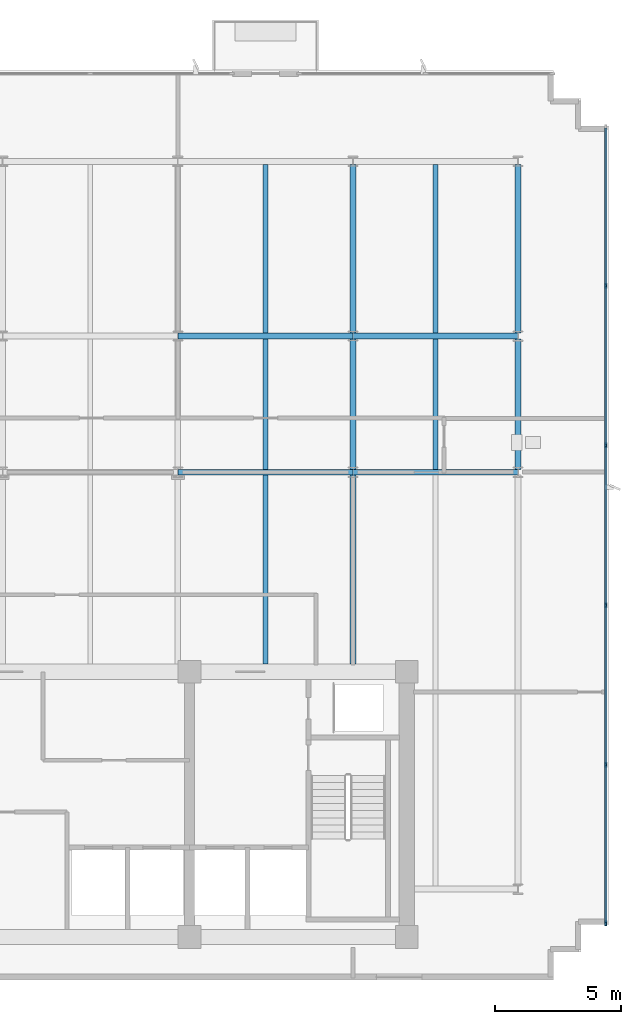
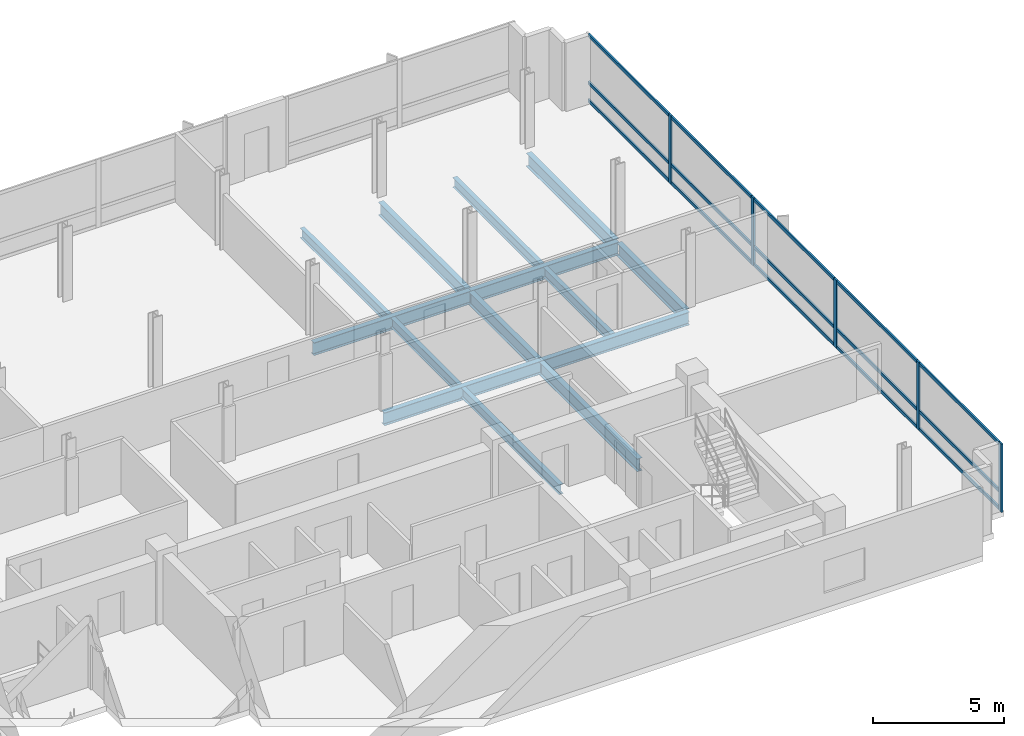
# One storey, part 4 of 13: 20 members, 14 beams, 1 element without a shape of its own.
"""IFC4 building model written with IfcOpenShell, lengths in metres."""

import ifcopenshell
import ifcopenshell.guid

model = None  # the IFC model being written
_history = None  # IfcOwnerHistory: only IFC2X3 demands one
_inside = {}  # id of a spatial element -> (the spatial element, [elements in it])
_under = {}  # id of a project, library or spatial element -> (it, [spatial elements below it])
_declared = {}  # id of a project -> (the project, [libraries it declares])
_typed = {}  # id of a type object -> (the type object, [elements of that type])
_made_of = {}  # id of a material, layer set ... -> (it, [elements and type objects made of it])


def new_model(schema):
    """Start an empty IFC model of exactly this schema.

    Asked for "IFC4X3", IfcOpenShell would pick the latest addendum, in which some entities
    have other attributes; the version numbers below select the first issue.
    IFC2X3 requires an IfcOwnerHistory on every rooted entity: one is made here for all.
    """
    global model, _history
    if schema == "IFC4X3":
        model = ifcopenshell.file(schema_version=(4, 3, 0, 0))
    else:
        model = ifcopenshell.file(schema=schema)
    _inside.clear()
    _under.clear()
    _declared.clear()
    _typed.clear()
    _made_of.clear()
    _history = None
    if model.schema == "IFC2X3":
        org = make("IfcOrganization", Name="unknown")
        user = make(
            "IfcPersonAndOrganization",
            ThePerson=make("IfcPerson", FamilyName="unknown"),
            TheOrganization=org,
        )
        app = make(
            "IfcApplication",
            ApplicationDeveloper=org,
            Version="unknown",
            ApplicationFullName="unknown",
            ApplicationIdentifier="unknown",
        )
        _history = make(
            "IfcOwnerHistory",
            OwningUser=user,
            OwningApplication=app,
            ChangeAction="ADDED",
            CreationDate=0,
        )
    return model


def make(cls, **values):
    """One entity of the class cls with the attributes given. An attribute that is None is left unset."""
    return model.create_entity(
        cls, **{name: value for name, value in values.items() if value is not None}
    )


def rooted(cls, **values):
    """An entity with a GlobalId (a new one), such as an element, a storey or a relation."""
    return make(cls, GlobalId=ifcopenshell.guid.new(), OwnerHistory=_history, **values)


def si_unit(unit_type, name, prefix=None):
    """IfcSIUnit, for example si_unit("LENGTHUNIT", "METRE", prefix="MILLI")."""
    return make("IfcSIUnit", UnitType=unit_type, Prefix=prefix, Name=name)


def assignment(units):
    """IfcUnitAssignment: the units of a project."""
    return None if units is None else make("IfcUnitAssignment", Units=units)


def point(xyz):
    """IfcCartesianPoint."""
    return None if xyz is None else make("IfcCartesianPoint", Coordinates=xyz)


def direction(xyz):
    """IfcDirection."""
    return None if xyz is None else make("IfcDirection", DirectionRatios=xyz)


def frame(location, z_axis=None, x_axis=None):
    """IfcAxis2Placement3D, a coordinate frame: its origin and axes. An axis left out is left unset."""
    return make(
        "IfcAxis2Placement3D",
        Location=point(location),
        Axis=direction(z_axis),
        RefDirection=direction(x_axis),
    )


def frame_2d(location, x_axis=None):
    """IfcAxis2Placement2D, a coordinate frame in the plane: its origin and x axis."""
    return make(
        "IfcAxis2Placement2D", Location=point(location), RefDirection=direction(x_axis)
    )


def origin():
    """The frame at (0, 0, 0) with its axes left unset."""
    return frame((0.0, 0.0, 0.0))


def origin_2d():
    """The frame at (0, 0) in the plane with its x axis left unset."""
    return frame_2d((0.0, 0.0))


def place(relative_to, where):
    """IfcLocalPlacement: puts the frame where relative to a parent placement (None: the world)."""
    return make(
        "IfcLocalPlacement", PlacementRelTo=relative_to, RelativePlacement=where
    )


def context(
    kind, dimensions, precision=None, world=None, true_north=None, identifier=None
):
    """IfcGeometricRepresentationContext, for example the 3D "Model" context."""
    return make(
        "IfcGeometricRepresentationContext",
        ContextIdentifier=identifier,
        ContextType=kind,
        CoordinateSpaceDimension=dimensions,
        Precision=precision,
        WorldCoordinateSystem=world,
        TrueNorth=true_north,
    )


def subcontext(parent, identifier, kind, view, scale=None):
    """IfcGeometricRepresentationSubContext, for example "Body" below "Model"."""
    return make(
        "IfcGeometricRepresentationSubContext",
        ContextIdentifier=identifier,
        ContextType=kind,
        ParentContext=parent,
        TargetScale=scale,
        TargetView=view,
    )


def project(units=None, contexts=None):
    """IfcProject with its units and contexts."""
    return rooted(
        "IfcProject",
        Name="project",
        RepresentationContexts=contexts,
        UnitsInContext=assignment(units),
    )


def spatial(cls, under=None, at=None, **own):
    """A site, building, storey or space (cls), placed at a placement, below another one or the project."""
    s = rooted(cls, ObjectPlacement=at, **own)
    if under is not None:
        _under.setdefault(under.id(), (under, []))[1].append(s)
    return s


def profile(cls, at=None, kind="AREA", **sizes):
    """A parametric profile (cls). Its sizes go by their IFC names, for example OverallWidth=200.0."""
    return make(cls, ProfileType=kind, Position=at, **sizes)


def rectangle(**sizes):
    """IfcRectangleProfileDef."""
    return profile("IfcRectangleProfileDef", **sizes)


def i_section(**sizes):
    """IfcIShapeProfileDef."""
    return profile("IfcIShapeProfileDef", **sizes)


def extrude(swept, where, along, depth):
    """IfcExtrudedAreaSolid: the profile swept, set in the frame where, extruded along a direction by depth."""
    return make(
        "IfcExtrudedAreaSolid",
        SweptArea=swept,
        Position=where,
        ExtrudedDirection=direction(along),
        Depth=depth,
    )


def shape(context_of_items, identifier, shape_type, items):
    """IfcShapeRepresentation: the items that make up one representation, for example the "Body"."""
    return make(
        "IfcShapeRepresentation",
        ContextOfItems=context_of_items,
        RepresentationIdentifier=identifier,
        RepresentationType=shape_type,
        Items=items,
    )


def material(Name=None, Category=None):
    """IfcMaterial."""
    return make("IfcMaterial", Name=Name, Category=Category)


def material_profile(
    of_material, cross_section, Name=None, Category=None, Priority=None
):
    """IfcMaterialProfile: a cross section and its material."""
    return make(
        "IfcMaterialProfile",
        Name=Name,
        Material=of_material,
        Profile=cross_section,
        Priority=Priority,
        Category=Category,
    )


def profile_set(profiles, Name=None, composite=None):
    """IfcMaterialProfileSet."""
    return make(
        "IfcMaterialProfileSet",
        Name=Name,
        MaterialProfiles=profiles,
        CompositeProfile=composite,
    )


def made_of(thing, what):
    """Note that an element or type object is made of a material, layer set ...; save() writes the relation."""
    if what is not None:
        _made_of.setdefault(what.id(), (what, []))[1].append(thing)
    return thing


def type_object(cls, material=None, **own):
    """A type object (cls), such as IfcWallType, which elements share."""
    return made_of(rooted(cls, **own), material)


def element(
    cls,
    number,
    at=None,
    inside=None,
    cuts=None,
    type_object=None,
    material=None,
    context=None,
    identifier="Body",
    shape_type=None,
    held_by="IfcProductDefinitionShape",
    body=None,
    shapes=None,
    **own,
):
    """One element of the class cls, such as IfcWall. Its Tag is "e" and its number.

    at: its placement. inside: the storey or other place that contains it. cuts: it is an
    opening in that element (IfcRelVoidsElement). A single representation is given by context,
    identifier, shape_type and body (its items); several are given by shapes. held_by: the class
    of the entity that holds the representations. save() writes the other relations.
    """
    e = rooted(cls, Tag="e%d" % number, ObjectPlacement=at, **own)
    if body is not None:
        shapes = [shape(context, identifier, shape_type, body)]
    if shapes is not None:
        e.Representation = make(held_by, Representations=shapes)
    if inside is not None:
        _inside.setdefault(inside.id(), (inside, []))[1].append(e)
    if cuts is not None:
        rooted(
            "IfcRelVoidsElement", RelatingBuildingElement=cuts, RelatedOpeningElement=e
        )
    if type_object is not None:
        _typed.setdefault(type_object.id(), (type_object, []))[1].append(e)
    return made_of(e, material)


def aggregate(whole, parts):
    """IfcRelAggregates: a whole, such as a stair, and the parts it consists of."""
    return rooted("IfcRelAggregates", RelatingObject=whole, RelatedObjects=parts)


def save(model, path):
    """Write the relations noted so far, then the file.

    IfcRelAggregates (storeys below a building ...), IfcRelContainedInSpatialStructure (elements
    in a storey), IfcRelDefinesByType, IfcRelAssociatesMaterial and IfcRelDeclares: one each for
    every whole, place, type object, material and project.
    """
    for whole, parts in _under.values():
        aggregate(whole, parts)
    for where, things in _inside.values():
        rooted(
            "IfcRelContainedInSpatialStructure",
            RelatedElements=things,
            RelatingStructure=where,
        )
    for kind, things in _typed.values():
        rooted("IfcRelDefinesByType", RelatedObjects=things, RelatingType=kind)
    for what, things in _made_of.values():
        rooted("IfcRelAssociatesMaterial", RelatedObjects=things, RelatingMaterial=what)
    for by, libraries in _declared.values():
        rooted("IfcRelDeclares", RelatingContext=by, RelatedDefinitions=libraries)
    model.write(path)


model = new_model("IFC4")

# Units and contexts
model_context = context("Model", 3, precision=1e-05, world=origin(), true_north=direction((0.0, 1.0)))
body_context = subcontext(model_context, "Body", "Model", "MODEL_VIEW")
ifc_project = project(units=[si_unit("LENGTHUNIT", "METRE"), si_unit("AREAUNIT", "SQUARE_METRE"), si_unit("VOLUMEUNIT", "CUBIC_METRE"), si_unit("PLANEANGLEUNIT", "RADIAN"), si_unit("MASSUNIT", "GRAM", prefix="KILO")], contexts=[model_context])

# Site, building, storey
site_placement = place(None, origin())
site = spatial("IfcSite", under=ifc_project, at=site_placement, CompositionType="ELEMENT")
building_placement = place(site_placement, origin())
building = spatial("IfcBuilding", under=site, at=building_placement, Name="Solmavex Isthmus Hotel", CompositionType="ELEMENT")
storey_placement = place(building_placement, frame((0.0, 0.0, 279.89990234375)))
storey = spatial("IfcBuildingStorey", under=building, at=storey_placement, Name="L76", CompositionType="ELEMENT", Elevation=279.89990234375)

# Beams
ifc_material_1 = material(Name="Steel ASTM A992 Grade 50", Category="steel")
ifc_material_profile_1 = material_profile(ifc_material_1, i_section(OverallWidth=0.1904296875, OverallDepth=0.456787109375, WebThickness=0.009033203125, FlangeThickness=0.014404296875, FilletRadius=0.0126953125, at=origin_2d()), Name="W18X50")
ifc_profile_set_1 = profile_set([ifc_material_profile_1], Name="Steel ASTM A992 Grade 50")
beam_type_1 = type_object("IfcBeamType", Name="BM-BJ-W18X50", PredefinedType="JOIST", material=ifc_profile_set_1)
beam_1_placement = place(storey_placement, frame((10.404052734375, -2.199951171875, -0.48828125), z_axis=(0.0, 1.0, 0.0), x_axis=(-1.0, 0.0, 0.0)))
element("IfcBeam", 1, at=beam_1_placement, inside=storey, type_object=beam_type_1, Name="Secondary Floor Joist L76-J13", PredefinedType="JOIST", context=body_context, shape_type="SweptSolid", body=[
    extrude(i_section(OverallWidth=0.1904296875, OverallDepth=0.456787109375, WebThickness=0.009033203125, FlangeThickness=0.014404296875, FilletRadius=0.0126953125, at=origin_2d()), origin(), (0.0, 0.0, 1.0), 7.486083984375),
])
beam_2_placement = place(storey_placement, frame((10.404052734375, 5.513916015625, -0.48828125), z_axis=(0.0, 1.0, 0.0), x_axis=(-1.0, 0.0, 0.0)))
element("IfcBeam", 2, at=beam_2_placement, inside=storey, type_object=beam_type_1, Name="Secondary Floor Joist L76-J14", PredefinedType="JOIST", context=body_context, shape_type="SweptSolid", body=[
    extrude(i_section(OverallWidth=0.1904296875, OverallDepth=0.456787109375, WebThickness=0.009033203125, FlangeThickness=0.014404296875, FilletRadius=0.0126953125, at=origin_2d()), origin(), (0.0, 0.0, 1.0), 5.16015625),
])
beam_3_placement = place(storey_placement, frame((10.404052734375, 10.90185546875, -0.48828125), z_axis=(0.0, 1.0, 0.0), x_axis=(-1.0, 0.0, 0.0)))
element("IfcBeam", 3, at=beam_3_placement, inside=storey, type_object=beam_type_1, Name="Secondary Floor Joist L76-J15", PredefinedType="JOIST", context=body_context, shape_type="SweptSolid", body=[
    extrude(i_section(OverallWidth=0.1904296875, OverallDepth=0.456787109375, WebThickness=0.009033203125, FlangeThickness=0.014404296875, FilletRadius=0.0126953125, at=origin_2d()), origin(), (0.0, 0.0, 1.0), 6.682861328125),
])
beam_4_placement = place(storey_placement, frame((17.135986328125, 5.513916015625, -0.48828125), z_axis=(0.0, 1.0, 0.0), x_axis=(-1.0, 0.0, 0.0)))
element("IfcBeam", 4, at=beam_4_placement, inside=storey, type_object=beam_type_1, Name="Secondary Floor Joist L76-J17", PredefinedType="JOIST", context=body_context, shape_type="SweptSolid", body=[
    extrude(i_section(OverallWidth=0.1904296875, OverallDepth=0.456787109375, WebThickness=0.009033203125, FlangeThickness=0.014404296875, FilletRadius=0.0126953125, at=origin_2d()), origin(), (0.0, 0.0, 1.0), 5.16015625),
])
beam_5_placement = place(storey_placement, frame((17.135986328125, 10.90185546875, -0.48828125), z_axis=(0.0, 1.0, 0.0), x_axis=(-1.0, 0.0, 0.0)))
element("IfcBeam", 5, at=beam_5_placement, inside=storey, type_object=beam_type_1, Name="Secondary Floor Joist L76-J18", PredefinedType="JOIST", context=body_context, shape_type="SweptSolid", body=[
    extrude(i_section(OverallWidth=0.1904296875, OverallDepth=0.456787109375, WebThickness=0.009033203125, FlangeThickness=0.014404296875, FilletRadius=0.0126953125, at=origin_2d()), origin(), (0.0, 0.0, 1.0), 6.682861328125),
])
ifc_material_profile_2 = material_profile(ifc_material_1, i_section(OverallWidth=0.227783203125, OverallDepth=0.602783203125, WebThickness=0.010498046875, FlangeThickness=0.014892578125, FilletRadius=0.01513671875, at=origin_2d()), Name="W24X68")
ifc_profile_set_2 = profile_set([ifc_material_profile_2], Name="Steel ASTM A992 Grade 50")
beam_type_2 = type_object("IfcBeamType", Name="BM-BM-W24X68", PredefinedType="BEAM", material=ifc_profile_set_2)
beam_6_placement = place(storey_placement, frame((6.93603515625, 5.39990234375, -0.561279296875), z_axis=(1.0, 0.0, 0.0), x_axis=(0.0, 1.0, 0.0)))
element("IfcBeam", 6, at=beam_6_placement, inside=storey, type_object=beam_type_2, Name="Floor Girder L76-UG07", PredefinedType="BEAM", context=body_context, shape_type="SweptSolid", body=[
    extrude(i_section(OverallWidth=0.227783203125, OverallDepth=0.602783203125, WebThickness=0.010498046875, FlangeThickness=0.014892578125, FilletRadius=0.01513671875, at=origin_2d()), origin(), (0.0, 0.0, 1.0), 6.93603515625),
])
beam_7_placement = place(storey_placement, frame((13.8720703125, 5.39990234375, -0.561279296875), z_axis=(1.0, 0.0, 0.0), x_axis=(0.0, 1.0, 0.0)))
element("IfcBeam", 7, at=beam_7_placement, inside=storey, type_object=beam_type_2, Name="Floor Girder L76-UG08", PredefinedType="BEAM", context=body_context, shape_type="SweptSolid", body=[
    extrude(i_section(OverallWidth=0.227783203125, OverallDepth=0.602783203125, WebThickness=0.010498046875, FlangeThickness=0.014892578125, FilletRadius=0.01513671875, at=origin_2d()), origin(), (0.0, 0.0, 1.0), 6.52783203125),
])
beam_8_placement = place(storey_placement, frame((6.93603515625, 10.7880859375, -0.561279296875), z_axis=(1.0, 0.0, 0.0), x_axis=(0.0, 1.0, 0.0)))
element("IfcBeam", 8, at=beam_8_placement, inside=storey, type_object=beam_type_2, Name="Floor Girder L76-UG13", PredefinedType="BEAM", context=body_context, shape_type="SweptSolid", body=[
    extrude(i_section(OverallWidth=0.227783203125, OverallDepth=0.602783203125, WebThickness=0.010498046875, FlangeThickness=0.014892578125, FilletRadius=0.01513671875, at=origin_2d()), origin(), (0.0, 0.0, 1.0), 6.93603515625),
])
beam_9_placement = place(storey_placement, frame((13.8720703125, 10.7880859375, -0.561279296875), z_axis=(1.0, 0.0, 0.0), x_axis=(0.0, 1.0, 0.0)))
element("IfcBeam", 9, at=beam_9_placement, inside=storey, type_object=beam_type_2, Name="Floor Girder L76-UG14", PredefinedType="BEAM", context=body_context, shape_type="SweptSolid", body=[
    extrude(i_section(OverallWidth=0.227783203125, OverallDepth=0.602783203125, WebThickness=0.010498046875, FlangeThickness=0.014892578125, FilletRadius=0.01513671875, at=origin_2d()), origin(), (0.0, 0.0, 1.0), 6.52783203125),
])
beam_10_placement = place(storey_placement, frame((13.8720703125, -2.199951171875, -0.561279296875), z_axis=(0.0, 1.0, 0.0), x_axis=(-1.0, 0.0, 0.0)))
element("IfcBeam", 10, at=beam_10_placement, inside=storey, type_object=beam_type_2, Name="Floor Beam L76-VG36", PredefinedType="BEAM", context=body_context, shape_type="SweptSolid", body=[
    extrude(i_section(OverallWidth=0.227783203125, OverallDepth=0.602783203125, WebThickness=0.010498046875, FlangeThickness=0.014892578125, FilletRadius=0.01513671875, at=origin_2d()), origin(), (0.0, 0.0, 1.0), 7.486083984375),
])
beam_11_placement = place(storey_placement, frame((13.8720703125, 5.513916015625, -0.561279296875), z_axis=(0.0, 1.0, 0.0), x_axis=(-1.0, 0.0, 0.0)))
element("IfcBeam", 11, at=beam_11_placement, inside=storey, type_object=beam_type_2, Name="Floor Beam L76-VG37", PredefinedType="BEAM", context=body_context, shape_type="SweptSolid", body=[
    extrude(i_section(OverallWidth=0.227783203125, OverallDepth=0.602783203125, WebThickness=0.010498046875, FlangeThickness=0.014892578125, FilletRadius=0.01513671875, at=origin_2d()), origin(), (0.0, 0.0, 1.0), 5.16015625),
])
beam_12_placement = place(storey_placement, frame((13.8720703125, 10.90185546875, -0.561279296875), z_axis=(0.0, 1.0, 0.0), x_axis=(-1.0, 0.0, 0.0)))
element("IfcBeam", 12, at=beam_12_placement, inside=storey, type_object=beam_type_2, Name="Floor Beam L76-VG38", PredefinedType="BEAM", context=body_context, shape_type="SweptSolid", body=[
    extrude(i_section(OverallWidth=0.227783203125, OverallDepth=0.602783203125, WebThickness=0.010498046875, FlangeThickness=0.014892578125, FilletRadius=0.01513671875, at=origin_2d()), origin(), (0.0, 0.0, 1.0), 6.682861328125),
])
ifc_material_profile_3 = material_profile(ifc_material_1, i_section(OverallWidth=0.230224609375, OverallDepth=0.617431640625, WebThickness=0.01318359375, FlangeThickness=0.022216796875, FilletRadius=0.01513671875, at=origin_2d()), Name="W24X94")
ifc_profile_set_3 = profile_set([ifc_material_profile_3], Name="Steel ASTM A992 Grade 50")
beam_type_3 = type_object("IfcBeamType", Name="BM-SP-W24X94", PredefinedType="SPANDREL", material=ifc_profile_set_3)
beam_13_placement = place(storey_placement, frame((20.39990234375, 5.513916015625, -0.568603515625), z_axis=(0.0, 1.0, 0.0), x_axis=(-1.0, 0.0, 0.0)))
element("IfcBeam", 13, at=beam_13_placement, inside=storey, type_object=beam_type_3, Name="Floor Beam L76-VG40", PredefinedType="SPANDREL", context=body_context, shape_type="SweptSolid", body=[
    extrude(i_section(OverallWidth=0.230224609375, OverallDepth=0.617431640625, WebThickness=0.01318359375, FlangeThickness=0.022216796875, FilletRadius=0.01513671875, at=origin_2d()), origin(), (0.0, 0.0, 1.0), 5.16015625),
])
beam_14_placement = place(storey_placement, frame((20.39990234375, 10.90185546875, -0.568603515625), z_axis=(0.0, 1.0, 0.0), x_axis=(-1.0, 0.0, 0.0)))
element("IfcBeam", 14, at=beam_14_placement, inside=storey, type_object=beam_type_3, Name="Floor Beam L76-VG41", PredefinedType="SPANDREL", context=body_context, shape_type="SweptSolid", body=[
    extrude(i_section(OverallWidth=0.230224609375, OverallDepth=0.617431640625, WebThickness=0.01318359375, FlangeThickness=0.022216796875, FilletRadius=0.01513671875, at=origin_2d()), origin(), (0.0, 0.0, 1.0), 6.682861328125),
])

# Curtain wall, members
ifc_material_2 = material(Name="Aluminium alloy 6063-T6", Category="aluminium")
curtain_wall_type = type_object("IfcCurtainWallType", Name="CW-SYS-04", PredefinedType="NOTDEFINED", material=ifc_material_2)
curtain_wall_placement = place(storey_placement, origin())
curtain_wall = element("IfcCurtainWall", 15, at=curtain_wall_placement, inside=storey, type_object=curtain_wall_type, Name="Stick Curtain Wall CWL-L76-E1", PredefinedType="NOTDEFINED")
ifc_material_profile_4 = material_profile(ifc_material_2, rectangle(XDim=0.074951171875, YDim=0.199951171875, at=origin_2d()), Name="CWM-75X200")
ifc_profile_set_4 = profile_set([ifc_material_profile_4], Name="Aluminium alloy 6063-T6")
member_type_1 = type_object("IfcMemberType", Name="CW-SYS-04-MUL", PredefinedType="MULLION", material=ifc_profile_set_4)
member_1_placement = place(storey_placement, frame((23.8798828125, -12.46240234375, 0.0), z_axis=(0.0, 0.0, 1.0), x_axis=(-1.0, 0.0, 0.0)))
member_1 = element("IfcMember", 16, at=member_1_placement, type_object=member_type_1, Name="CW-04 mullion 1", PredefinedType="MULLION", context=body_context, shape_type="SweptSolid", body=[
    extrude(rectangle(XDim=0.074951171875, YDim=0.199951171875, at=origin_2d()), origin(), (0.0, 0.0, 1.0), 3.190185546875),
])
member_2_placement = place(storey_placement, frame((23.8798828125, -6.179931640625, 0.0), z_axis=(0.0, 0.0, 1.0), x_axis=(-1.0, 0.0, 0.0)))
member_2 = element("IfcMember", 17, at=member_2_placement, type_object=member_type_1, Name="CW-04 mullion 2", PredefinedType="MULLION", context=body_context, shape_type="SweptSolid", body=[
    extrude(rectangle(XDim=0.074951171875, YDim=0.199951171875, at=origin_2d()), origin(), (0.0, 0.0, 1.0), 3.190185546875),
])
member_3_placement = place(storey_placement, frame((23.8798828125, 0.139892578125, 0.0), z_axis=(0.0, 0.0, 1.0), x_axis=(-1.0, 0.0, 0.0)))
member_3 = element("IfcMember", 18, at=member_3_placement, type_object=member_type_1, Name="CW-04 mullion 3", PredefinedType="MULLION", context=body_context, shape_type="SweptSolid", body=[
    extrude(rectangle(XDim=0.074951171875, YDim=0.199951171875, at=origin_2d()), origin(), (0.0, 0.0, 1.0), 3.190185546875),
])
member_4_placement = place(storey_placement, frame((23.8798828125, 6.4599609375, 0.0), z_axis=(0.0, 0.0, 1.0), x_axis=(-1.0, 0.0, 0.0)))
member_4 = element("IfcMember", 19, at=member_4_placement, type_object=member_type_1, Name="CW-04 mullion 4", PredefinedType="MULLION", context=body_context, shape_type="SweptSolid", body=[
    extrude(rectangle(XDim=0.074951171875, YDim=0.199951171875, at=origin_2d()), origin(), (0.0, 0.0, 1.0), 3.190185546875),
])
member_5_placement = place(storey_placement, frame((23.8798828125, 12.780029296875, 0.0), z_axis=(0.0, 0.0, 1.0), x_axis=(-1.0, 0.0, 0.0)))
member_5 = element("IfcMember", 20, at=member_5_placement, type_object=member_type_1, Name="CW-04 mullion 5", PredefinedType="MULLION", context=body_context, shape_type="SweptSolid", body=[
    extrude(rectangle(XDim=0.074951171875, YDim=0.199951171875, at=origin_2d()), origin(), (0.0, 0.0, 1.0), 3.190185546875),
])
ifc_material_profile_5 = material_profile(ifc_material_2, rectangle(XDim=0.074951171875, YDim=0.14990234375, at=origin_2d()), Name="CWT-75X150")
ifc_profile_set_5 = profile_set([ifc_material_profile_5], Name="Aluminium alloy 6063-T6")
member_type_2 = type_object("IfcMemberType", Name="CW-SYS-04-TRN", PredefinedType="USERDEFINED", material=ifc_profile_set_5)
member_6_placement = place(storey_placement, frame((23.8798828125, -12.425048828125, 0.0751953125), z_axis=(0.0, 1.0, 0.0), x_axis=(-1.0, 0.0, 0.0)))
member_6 = element("IfcMember", 21, at=member_6_placement, type_object=member_type_2, Name="CW-04 transom 1.1", ObjectType="TRANSOM", PredefinedType="USERDEFINED", context=body_context, shape_type="SweptSolid", body=[
    extrude(rectangle(XDim=0.074951171875, YDim=0.14990234375, at=origin_2d()), origin(), (0.0, 0.0, 1.0), 6.20751953125),
])
member_7_placement = place(storey_placement, frame((23.8798828125, -12.425048828125, 0.900146484375), z_axis=(0.0, 1.0, 0.0), x_axis=(-1.0, 0.0, 0.0)))
member_7 = element("IfcMember", 22, at=member_7_placement, type_object=member_type_2, Name="CW-04 transom 1.2", ObjectType="TRANSOM", PredefinedType="USERDEFINED", context=body_context, shape_type="SweptSolid", body=[
    extrude(rectangle(XDim=0.074951171875, YDim=0.14990234375, at=origin_2d()), origin(), (0.0, 0.0, 1.0), 6.20751953125),
])
member_8_placement = place(storey_placement, frame((23.8798828125, -12.425048828125, 3.114990234375), z_axis=(0.0, 1.0, 0.0), x_axis=(-1.0, 0.0, 0.0)))
member_8 = element("IfcMember", 23, at=member_8_placement, type_object=member_type_2, Name="CW-04 transom 1.3", ObjectType="TRANSOM", PredefinedType="USERDEFINED", context=body_context, shape_type="SweptSolid", body=[
    extrude(rectangle(XDim=0.074951171875, YDim=0.14990234375, at=origin_2d()), origin(), (0.0, 0.0, 1.0), 6.20751953125),
])
member_9_placement = place(storey_placement, frame((23.8798828125, -6.142578125, 0.0751953125), z_axis=(0.0, 1.0, 0.0), x_axis=(-1.0, 0.0, 0.0)))
member_9 = element("IfcMember", 24, at=member_9_placement, type_object=member_type_2, Name="CW-04 transom 2.1", ObjectType="TRANSOM", PredefinedType="USERDEFINED", context=body_context, shape_type="SweptSolid", body=[
    extrude(rectangle(XDim=0.074951171875, YDim=0.14990234375, at=origin_2d()), origin(), (0.0, 0.0, 1.0), 6.2451171875),
])
member_10_placement = place(storey_placement, frame((23.8798828125, -6.142578125, 0.900146484375), z_axis=(0.0, 1.0, 0.0), x_axis=(-1.0, 0.0, 0.0)))
member_10 = element("IfcMember", 25, at=member_10_placement, type_object=member_type_2, Name="CW-04 transom 2.2", ObjectType="TRANSOM", PredefinedType="USERDEFINED", context=body_context, shape_type="SweptSolid", body=[
    extrude(rectangle(XDim=0.074951171875, YDim=0.14990234375, at=origin_2d()), origin(), (0.0, 0.0, 1.0), 6.2451171875),
])
member_11_placement = place(storey_placement, frame((23.8798828125, -6.142578125, 3.114990234375), z_axis=(0.0, 1.0, 0.0), x_axis=(-1.0, 0.0, 0.0)))
member_11 = element("IfcMember", 26, at=member_11_placement, type_object=member_type_2, Name="CW-04 transom 2.3", ObjectType="TRANSOM", PredefinedType="USERDEFINED", context=body_context, shape_type="SweptSolid", body=[
    extrude(rectangle(XDim=0.074951171875, YDim=0.14990234375, at=origin_2d()), origin(), (0.0, 0.0, 1.0), 6.2451171875),
])
member_12_placement = place(storey_placement, frame((23.8798828125, 0.177490234375, 0.0751953125), z_axis=(0.0, 1.0, 0.0), x_axis=(-1.0, 0.0, 0.0)))
member_12 = element("IfcMember", 27, at=member_12_placement, type_object=member_type_2, Name="CW-04 transom 3.1", ObjectType="TRANSOM", PredefinedType="USERDEFINED", context=body_context, shape_type="SweptSolid", body=[
    extrude(rectangle(XDim=0.074951171875, YDim=0.14990234375, at=origin_2d()), origin(), (0.0, 0.0, 1.0), 6.2451171875),
])
member_13_placement = place(storey_placement, frame((23.8798828125, 0.177490234375, 0.900146484375), z_axis=(0.0, 1.0, 0.0), x_axis=(-1.0, 0.0, 0.0)))
member_13 = element("IfcMember", 28, at=member_13_placement, type_object=member_type_2, Name="CW-04 transom 3.2", ObjectType="TRANSOM", PredefinedType="USERDEFINED", context=body_context, shape_type="SweptSolid", body=[
    extrude(rectangle(XDim=0.074951171875, YDim=0.14990234375, at=origin_2d()), origin(), (0.0, 0.0, 1.0), 6.2451171875),
])
member_14_placement = place(storey_placement, frame((23.8798828125, 0.177490234375, 3.114990234375), z_axis=(0.0, 1.0, 0.0), x_axis=(-1.0, 0.0, 0.0)))
member_14 = element("IfcMember", 29, at=member_14_placement, type_object=member_type_2, Name="CW-04 transom 3.3", ObjectType="TRANSOM", PredefinedType="USERDEFINED", context=body_context, shape_type="SweptSolid", body=[
    extrude(rectangle(XDim=0.074951171875, YDim=0.14990234375, at=origin_2d()), origin(), (0.0, 0.0, 1.0), 6.2451171875),
])
member_15_placement = place(storey_placement, frame((23.8798828125, 6.49755859375, 0.0751953125), z_axis=(0.0, 1.0, 0.0), x_axis=(-1.0, 0.0, 0.0)))
member_15 = element("IfcMember", 30, at=member_15_placement, type_object=member_type_2, Name="CW-04 transom 4.1", ObjectType="TRANSOM", PredefinedType="USERDEFINED", context=body_context, shape_type="SweptSolid", body=[
    extrude(rectangle(XDim=0.074951171875, YDim=0.14990234375, at=origin_2d()), origin(), (0.0, 0.0, 1.0), 6.244873046875),
])
member_16_placement = place(storey_placement, frame((23.8798828125, 6.49755859375, 0.900146484375), z_axis=(0.0, 1.0, 0.0), x_axis=(-1.0, 0.0, 0.0)))
member_16 = element("IfcMember", 31, at=member_16_placement, type_object=member_type_2, Name="CW-04 transom 4.2", ObjectType="TRANSOM", PredefinedType="USERDEFINED", context=body_context, shape_type="SweptSolid", body=[
    extrude(rectangle(XDim=0.074951171875, YDim=0.14990234375, at=origin_2d()), origin(), (0.0, 0.0, 1.0), 6.244873046875),
])
member_17_placement = place(storey_placement, frame((23.8798828125, 6.49755859375, 3.114990234375), z_axis=(0.0, 1.0, 0.0), x_axis=(-1.0, 0.0, 0.0)))
member_17 = element("IfcMember", 32, at=member_17_placement, type_object=member_type_2, Name="CW-04 transom 4.3", ObjectType="TRANSOM", PredefinedType="USERDEFINED", context=body_context, shape_type="SweptSolid", body=[
    extrude(rectangle(XDim=0.074951171875, YDim=0.14990234375, at=origin_2d()), origin(), (0.0, 0.0, 1.0), 6.244873046875),
])
member_18_placement = place(storey_placement, frame((23.8798828125, 12.8173828125, 0.0751953125), z_axis=(0.0, 1.0, 0.0), x_axis=(-1.0, 0.0, 0.0)))
member_18 = element("IfcMember", 33, at=member_18_placement, type_object=member_type_2, Name="CW-04 transom 5.1", ObjectType="TRANSOM", PredefinedType="USERDEFINED", context=body_context, shape_type="SweptSolid", body=[
    extrude(rectangle(XDim=0.074951171875, YDim=0.14990234375, at=origin_2d()), origin(), (0.0, 0.0, 1.0), 6.20751953125),
])
member_19_placement = place(storey_placement, frame((23.8798828125, 12.8173828125, 0.900146484375), z_axis=(0.0, 1.0, 0.0), x_axis=(-1.0, 0.0, 0.0)))
member_19 = element("IfcMember", 34, at=member_19_placement, type_object=member_type_2, Name="CW-04 transom 5.2", ObjectType="TRANSOM", PredefinedType="USERDEFINED", context=body_context, shape_type="SweptSolid", body=[
    extrude(rectangle(XDim=0.074951171875, YDim=0.14990234375, at=origin_2d()), origin(), (0.0, 0.0, 1.0), 6.20751953125),
])
member_20_placement = place(storey_placement, frame((23.8798828125, 12.8173828125, 3.114990234375), z_axis=(0.0, 1.0, 0.0), x_axis=(-1.0, 0.0, 0.0)))
member_20 = element("IfcMember", 35, at=member_20_placement, type_object=member_type_2, Name="CW-04 transom 5.3", ObjectType="TRANSOM", PredefinedType="USERDEFINED", context=body_context, shape_type="SweptSolid", body=[
    extrude(rectangle(XDim=0.074951171875, YDim=0.14990234375, at=origin_2d()), origin(), (0.0, 0.0, 1.0), 6.20751953125),
])
aggregate(curtain_wall, [member_1, member_2, member_3, member_4, member_5, member_6, member_7, member_8, member_9, member_10, member_11, member_12, member_13, member_14, member_15, member_16, member_17, member_18, member_19, member_20])

save(model, "model.ifc")
